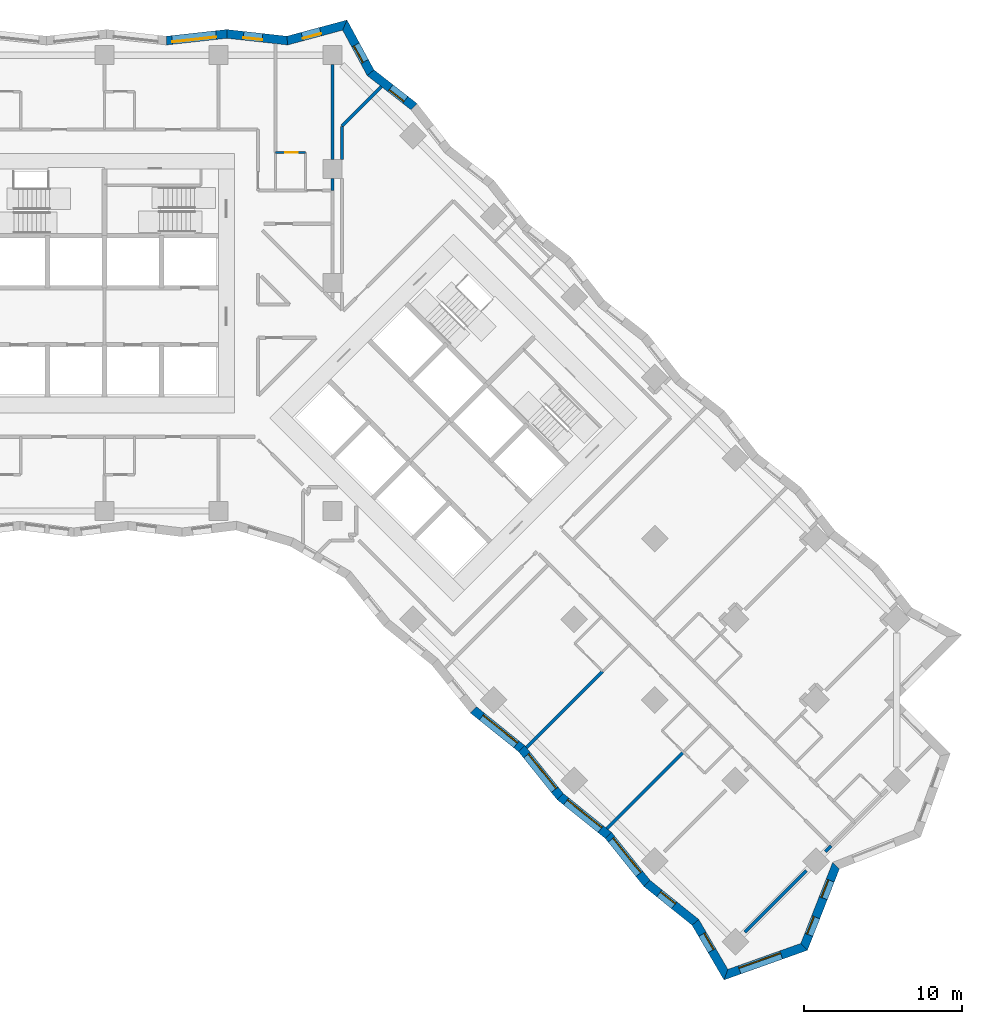
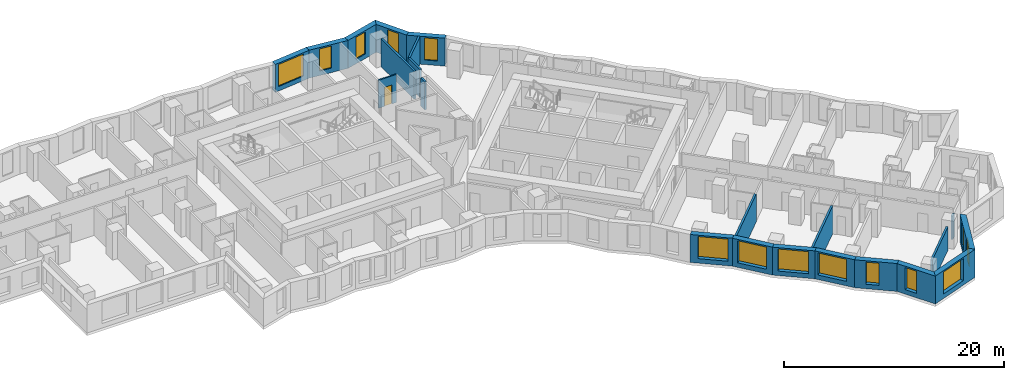
# One storey, part 7 of 13: 22 walls, 14 windows, 1 door, 15 openings.
"""IFC4 building model written with IfcOpenShell, lengths in metres."""

from ifc_helpers import new_model, si_unit, direction, frame, frame_2d, origin, place, context, subcontext, project, spatial, polyline, rectangle, outline, extrude, material, layer, layer_set, type_object, element, fill, save


model = new_model("IFC4")

# Units and contexts
model_context = context("Model", 3, precision=1e-05, world=origin(), true_north=direction((0.0, 1.0)))
body_context = subcontext(model_context, "Body", "Model", "MODEL_VIEW")
ifc_project = project(units=[si_unit("LENGTHUNIT", "METRE"), si_unit("AREAUNIT", "SQUARE_METRE"), si_unit("VOLUMEUNIT", "CUBIC_METRE"), si_unit("PLANEANGLEUNIT", "RADIAN"), si_unit("MASSUNIT", "GRAM", prefix="KILO")], contexts=[model_context])

# Site, building, storey
site_placement = place(None, origin())
site = spatial("IfcSite", under=ifc_project, at=site_placement, CompositionType="ELEMENT")
building_placement = place(site_placement, origin())
building = spatial("IfcBuilding", under=site, at=building_placement, Name="Windrow Commons", CompositionType="ELEMENT")
storey_placement = place(building_placement, frame((0.0, 0.0, 40.6)))
storey = spatial("IfcBuildingStorey", under=building, at=storey_placement, Name="L10", CompositionType="ELEMENT", Elevation=40.6)

# Wall, opening, window
ifc_material_1 = material(Name="Brick masonry, red clay brick", Category="masonry")
ifc_layer_1 = layer(ifc_material_1, 0.55)
ifc_layer_set_1 = layer_set([ifc_layer_1], Name="Brick facade wall 550")
wall_type_1 = type_object("IfcWallType", Name="Brick facade wall 550", PredefinedType="SOLIDWALL", material=ifc_layer_set_1)
wall_1_placement = place(storey_placement, frame((104.0565, 13.9138, 0.0), z_axis=(0.0, 0.0, 1.0), x_axis=(0.942037149, 0.3355085839, 0.0)))
wall_1 = element("IfcWall", 1, at=wall_1_placement, inside=storey, type_object=wall_type_1, Name="Brick facade wall L10 1", PredefinedType="SOLIDWALL", context=body_context, shape_type="SweptSolid", body=[
    extrude(outline(polyline([(-0.2282, -0.275), (5.3679, -0.275), (5.1177, 0.275), (0.2282, 0.275), (-0.2282, -0.275)])), origin(), (0.0, 0.0, 1.0), 3.1),
])
opening_1_placement = place(wall_1_placement, frame((0.9071, 0.0, 0.5)))
opening_1 = element("IfcOpeningElement", 2, at=opening_1_placement, cuts=wall_1, Name="Opening W1T", PredefinedType="OPENING", context=body_context, shape_type="SweptSolid", body=[
    extrude(rectangle(XDim=2.8, YDim=2.45, at=frame_2d((1.4, 1.225))), frame((0.0, 0.285, 0.0), z_axis=(0.0, -1.0, 0.0), x_axis=(1.0, 0.0, 0.0)), (0.0, 0.0, 1.0), 0.57),
])
ifc_material_2 = material(Name="Clear float glass in anodised aluminium frame", Category="aluminium")
window_type_1 = type_object("IfcWindowType", Name="Window W1T bedroom 2800x2450", PartitioningType="SINGLE_PANEL", PredefinedType="WINDOW", material=ifc_material_2)
window_1_placement = place(opening_1_placement, origin())
window_1 = element("IfcWindow", 3, at=window_1_placement, inside=storey, type_object=window_type_1, Name="Window L10 1.1", OverallHeight=2.45, OverallWidth=2.8, PartitioningType="SINGLE_PANEL", PredefinedType="WINDOW", context=body_context, shape_type="SweptSolid", body=[
    extrude(rectangle(XDim=2.8, YDim=2.45, at=frame_2d((1.4, 1.225))), frame((0.0, 0.155, 0.0), z_axis=(0.0, -1.0, 0.0), x_axis=(1.0, 0.0, 0.0)), (0.0, 0.0, 1.0), 0.06),
])
fill(opening_1, window_1)

# Wall, openings, windows
wall_2_placement = place(storey_placement, frame((108.9954, 15.6728, 0.0), z_axis=(0.0, 0.0, 1.0), x_axis=(0.3662073004, 0.930533295, 0.0)))
wall_2 = element("IfcWall", 4, at=wall_2_placement, inside=storey, type_object=wall_type_1, Name="Brick facade wall L10 2", PredefinedType="SOLIDWALL", context=body_context, shape_type="SweptSolid", body=[
    extrude(outline(polyline([(-0.1251, -0.275), (5.3881, -0.275), (5.6275, 0.275), (0.1251, 0.275), (-0.1251, -0.275)])), origin(), (0.0, 0.0, 1.0), 3.1),
])
opening_2_placement = place(wall_2_placement, frame((0.813, 0.0, 0.5)))
opening_2 = element("IfcOpeningElement", 5, at=opening_2_placement, cuts=wall_2, Name="Opening W7D", PredefinedType="OPENING", context=body_context, shape_type="SweptSolid", body=[
    extrude(rectangle(XDim=1.2, YDim=2.45, at=frame_2d((0.6, 1.225))), frame((0.0, 0.285, 0.0), z_axis=(0.0, -1.0, 0.0), x_axis=(1.0, 0.0, 0.0)), (0.0, 0.0, 1.0), 0.57),
])
opening_3_placement = place(wall_2_placement, frame((3.3044, 0.0, 0.5)))
opening_3 = element("IfcOpeningElement", 6, at=opening_3_placement, cuts=wall_2, Name="Opening W7D", PredefinedType="OPENING", context=body_context, shape_type="SweptSolid", body=[
    extrude(rectangle(XDim=1.2, YDim=2.45, at=frame_2d((0.6, 1.225))), frame((0.0, 0.285, 0.0), z_axis=(0.0, -1.0, 0.0), x_axis=(1.0, 0.0, 0.0)), (0.0, 0.0, 1.0), 0.57),
])
ifc_material_3 = material(Name="Clear float glass in anodised aluminium frame", Category="aluminium")
window_type_2 = type_object("IfcWindowType", Name="Window W7 notch 1200x2450", PartitioningType="SINGLE_PANEL", PredefinedType="WINDOW", material=ifc_material_3)
window_2_placement = place(opening_2_placement, origin())
window_2 = element("IfcWindow", 7, at=window_2_placement, inside=storey, type_object=window_type_2, Name="Window L10 2.1", OverallHeight=2.45, OverallWidth=1.2, PartitioningType="SINGLE_PANEL", PredefinedType="WINDOW", context=body_context, shape_type="SweptSolid", body=[
    extrude(rectangle(XDim=1.2, YDim=2.45, at=frame_2d((0.6, 1.225))), frame((0.0, 0.155, 0.0), z_axis=(0.0, -1.0, 0.0), x_axis=(1.0, 0.0, 0.0)), (0.0, 0.0, 1.0), 0.06),
])
fill(opening_2, window_2)
window_3_placement = place(opening_3_placement, origin())
window_3 = element("IfcWindow", 8, at=window_3_placement, inside=storey, type_object=window_type_2, Name="Window L10 2.2", OverallHeight=2.45, OverallWidth=1.2, PartitioningType="SINGLE_PANEL", PredefinedType="WINDOW", context=body_context, shape_type="SweptSolid", body=[
    extrude(rectangle(XDim=1.2, YDim=2.45, at=frame_2d((0.6, 1.225))), frame((0.0, 0.155, 0.0), z_axis=(0.0, -1.0, 0.0), x_axis=(1.0, 0.0, 0.0)), (0.0, 0.0, 1.0), 0.06),
])
fill(opening_3, window_3)

# Wall, opening, window
wall_3_placement = place(storey_placement, frame((84.3541, 68.7465, 0.0), z_axis=(0.0, 0.0, 1.0), x_axis=(-0.7879242152, 0.6157722233, 0.0)))
wall_3 = element("IfcWall", 9, at=wall_3_placement, inside=storey, type_object=wall_type_1, Name="Brick facade wall L10 21", PredefinedType="SOLIDWALL", context=body_context, shape_type="SweptSolid", body=[
    extrude(outline(polyline([(-0.0337, -0.275), (3.4245, -0.275), (3.5392, 0.275), (0.0337, 0.275), (-0.0337, -0.275)])), origin(), (0.0, 0.0, 1.0), 3.1),
])
opening_4_placement = place(wall_3_placement, frame((0.6982, 0.0, 0.5)))
opening_4 = element("IfcOpeningElement", 10, at=opening_4_placement, cuts=wall_3, Name="Opening W7D", PredefinedType="OPENING", context=body_context, shape_type="SweptSolid", body=[
    extrude(rectangle(XDim=1.2, YDim=2.45, at=frame_2d((0.6, 1.225))), frame((0.0, 0.285, 0.0), z_axis=(0.0, -1.0, 0.0), x_axis=(1.0, 0.0, 0.0)), (0.0, 0.0, 1.0), 0.57),
])
window_4_placement = place(opening_4_placement, origin())
window_4 = element("IfcWindow", 11, at=window_4_placement, inside=storey, type_object=window_type_2, Name="Window L10 21.1", OverallHeight=2.45, OverallWidth=1.2, PartitioningType="SINGLE_PANEL", PredefinedType="WINDOW", context=body_context, shape_type="SweptSolid", body=[
    extrude(rectangle(XDim=1.2, YDim=2.45, at=frame_2d((0.6, 1.225))), frame((0.0, 0.155, 0.0), z_axis=(0.0, -1.0, 0.0), x_axis=(1.0, 0.0, 0.0)), (0.0, 0.0, 1.0), 0.06),
])
fill(opening_4, window_4)

wall_4_placement = place(storey_placement, frame((81.6107, 70.8905, 0.0), z_axis=(0.0, 0.0, 1.0), x_axis=(-0.4761692104, 0.8793536735, 0.0)))
wall_4 = element("IfcWall", 12, at=wall_4_placement, inside=storey, type_object=wall_type_1, Name="Brick facade wall L10 22", PredefinedType="SOLIDWALL", context=body_context, shape_type="SweptSolid", body=[
    extrude(outline(polyline([(0.0573, -0.275), (3.6385, -0.275), (3.204, 0.275), (-0.0573, 0.275), (0.0573, -0.275)])), origin(), (0.0, 0.0, 1.0), 3.1),
])
opening_5_placement = place(wall_4_placement, frame((0.7984, 0.0, 0.5)))
opening_5 = element("IfcOpeningElement", 13, at=opening_5_placement, cuts=wall_4, Name="Opening W7D", PredefinedType="OPENING", context=body_context, shape_type="SweptSolid", body=[
    extrude(rectangle(XDim=1.2, YDim=2.45, at=frame_2d((0.6, 1.225))), frame((0.0, 0.285, 0.0), z_axis=(0.0, -1.0, 0.0), x_axis=(1.0, 0.0, 0.0)), (0.0, 0.0, 1.0), 0.57),
])
window_5_placement = place(opening_5_placement, origin())
window_5 = element("IfcWindow", 14, at=window_5_placement, inside=storey, type_object=window_type_2, Name="Window L10 22.1", OverallHeight=2.45, OverallWidth=1.2, PartitioningType="SINGLE_PANEL", PredefinedType="WINDOW", context=body_context, shape_type="SweptSolid", body=[
    extrude(rectangle(XDim=1.2, YDim=2.45, at=frame_2d((0.6, 1.225))), frame((0.0, 0.155, 0.0), z_axis=(0.0, -1.0, 0.0), x_axis=(1.0, 0.0, 0.0)), (0.0, 0.0, 1.0), 0.06),
])
fill(opening_5, window_5)

wall_5_placement = place(storey_placement, frame((79.9816, 73.899, 0.0), z_axis=(0.0, 0.0, 1.0), x_axis=(-0.9656880232, -0.259704913, 0.0)))
wall_5 = element("IfcWall", 15, at=wall_5_placement, inside=storey, type_object=wall_type_1, Name="Brick facade wall L10 23", PredefinedType="SOLIDWALL", context=body_context, shape_type="SweptSolid", body=[
    extrude(outline(polyline([(-0.2173, -0.275), (3.714, -0.275), (3.8178, 0.275), (0.2173, 0.275), (-0.2173, -0.275)])), origin(), (0.0, 0.0, 1.0), 3.1),
])
opening_6_placement = place(wall_5_placement, frame((1.5876, 0.0, 0.5)))
opening_6 = element("IfcOpeningElement", 16, at=opening_6_placement, cuts=wall_5, Name="Opening W7D", PredefinedType="OPENING", context=body_context, shape_type="SweptSolid", body=[
    extrude(rectangle(XDim=1.2, YDim=2.45, at=frame_2d((0.6, 1.225))), frame((0.0, 0.285, 0.0), z_axis=(0.0, -1.0, 0.0), x_axis=(1.0, 0.0, 0.0)), (0.0, 0.0, 1.0), 0.57),
])
window_6_placement = place(opening_6_placement, origin())
window_6 = element("IfcWindow", 17, at=window_6_placement, inside=storey, type_object=window_type_2, Name="Window L10 23.1", OverallHeight=2.45, OverallWidth=1.2, PartitioningType="SINGLE_PANEL", PredefinedType="WINDOW", context=body_context, shape_type="SweptSolid", body=[
    extrude(rectangle(XDim=1.2, YDim=2.45, at=frame_2d((0.6, 1.225))), frame((0.0, 0.155, 0.0), z_axis=(0.0, -1.0, 0.0), x_axis=(1.0, 0.0, 0.0)), (0.0, 0.0, 1.0), 0.06),
])
fill(opening_6, window_6)

wall_6_placement = place(storey_placement, frame((76.345, 72.921, 0.0), z_axis=(0.0, 0.0, 1.0), x_axis=(-0.9939087915, 0.1102057815, 0.0)))
wall_6 = element("IfcWall", 18, at=wall_6_placement, inside=storey, type_object=wall_type_1, Name="Brick facade wall L10 24", PredefinedType="SOLIDWALL", context=body_context, shape_type="SweptSolid", body=[
    extrude(outline(polyline([(0.0519, -0.275), (3.8715, -0.275), (3.8105, 0.275), (-0.0519, 0.275), (0.0519, -0.275)])), origin(), (0.0, 0.0, 1.0), 3.1),
])
opening_7_placement = place(wall_6_placement, frame((1.58, 0.0, 0.5)))
opening_7 = element("IfcOpeningElement", 19, at=opening_7_placement, cuts=wall_6, Name="Opening W7D", PredefinedType="OPENING", context=body_context, shape_type="SweptSolid", body=[
    extrude(rectangle(XDim=1.2, YDim=2.45, at=frame_2d((0.6, 1.225))), frame((0.0, 0.285, 0.0), z_axis=(0.0, -1.0, 0.0), x_axis=(1.0, 0.0, 0.0)), (0.0, 0.0, 1.0), 0.57),
])
window_7_placement = place(opening_7_placement, origin())
window_7 = element("IfcWindow", 20, at=window_7_placement, inside=storey, type_object=window_type_2, Name="Window L10 24.1", OverallHeight=2.45, OverallWidth=1.2, PartitioningType="SINGLE_PANEL", PredefinedType="WINDOW", context=body_context, shape_type="SweptSolid", body=[
    extrude(rectangle(XDim=1.2, YDim=2.45, at=frame_2d((0.6, 1.225))), frame((0.0, 0.155, 0.0), z_axis=(0.0, -1.0, 0.0), x_axis=(1.0, 0.0, 0.0)), (0.0, 0.0, 1.0), 0.06),
])
fill(opening_7, window_7)

wall_7_placement = place(storey_placement, frame((72.5274, 73.3443, 0.0), z_axis=(0.0, 0.0, 1.0), x_axis=(-0.99390702, -0.1102217568, 0.0)))
wall_7 = element("IfcWall", 21, at=wall_7_placement, inside=storey, type_object=wall_type_1, Name="Brick facade wall L10 25", PredefinedType="SOLIDWALL", context=body_context, shape_type="SweptSolid", body=[
    extrude(outline(polyline([(-0.0305, -0.275), (3.7891, -0.275), (3.8501, 0.275), (0.0305, 0.275), (-0.0305, -0.275)])), origin(), (0.0, 0.0, 1.0), 3.1),
])
opening_8_placement = place(wall_7_placement, frame((0.6751, 0.0, 0.5)))
opening_8 = element("IfcOpeningElement", 22, at=opening_8_placement, cuts=wall_7, Name="Opening W1T", PredefinedType="OPENING", context=body_context, shape_type="SweptSolid", body=[
    extrude(rectangle(XDim=2.8, YDim=2.45, at=frame_2d((1.4, 1.225))), frame((0.0, 0.285, 0.0), z_axis=(0.0, -1.0, 0.0), x_axis=(1.0, 0.0, 0.0)), (0.0, 0.0, 1.0), 0.57),
])
window_8_placement = place(opening_8_placement, origin())
window_8 = element("IfcWindow", 23, at=window_8_placement, inside=storey, type_object=window_type_1, Name="Window L10 25.1", OverallHeight=2.45, OverallWidth=2.8, PartitioningType="SINGLE_PANEL", PredefinedType="WINDOW", context=body_context, shape_type="SweptSolid", body=[
    extrude(rectangle(XDim=2.8, YDim=2.45, at=frame_2d((1.4, 1.225))), frame((0.0, 0.155, 0.0), z_axis=(0.0, -1.0, 0.0), x_axis=(1.0, 0.0, 0.0)), (0.0, 0.0, 1.0), 0.06),
])
fill(opening_8, window_8)

wall_8_placement = place(storey_placement, frame((88.1132, 30.6385, 0.0), z_axis=(0.0, 0.0, 1.0), x_axis=(0.7793447186, -0.6265954114, 0.0)))
wall_8 = element("IfcWall", 24, at=wall_8_placement, inside=storey, type_object=wall_type_1, Name="Brick facade wall L10 58", PredefinedType="SOLIDWALL", context=body_context, shape_type="SweptSolid", body=[
    extrude(outline(polyline([(-0.0299, -0.275), (3.868, -0.275), (3.9277, 0.275), (0.0299, 0.275), (-0.0299, -0.275)])), origin(), (0.0, 0.0, 1.0), 3.1),
])
opening_9_placement = place(wall_8_placement, frame((0.6755, 0.0, 0.5)))
opening_9 = element("IfcOpeningElement", 25, at=opening_9_placement, cuts=wall_8, Name="Opening W1T", PredefinedType="OPENING", context=body_context, shape_type="SweptSolid", body=[
    extrude(rectangle(XDim=2.8, YDim=2.45, at=frame_2d((1.4, 1.225))), frame((0.0, 0.285, 0.0), z_axis=(0.0, -1.0, 0.0), x_axis=(1.0, 0.0, 0.0)), (0.0, 0.0, 1.0), 0.57),
])
window_9_placement = place(opening_9_placement, origin())
window_9 = element("IfcWindow", 26, at=window_9_placement, inside=storey, type_object=window_type_1, Name="Window L10 58.1", OverallHeight=2.45, OverallWidth=2.8, PartitioningType="SINGLE_PANEL", PredefinedType="WINDOW", context=body_context, shape_type="SweptSolid", body=[
    extrude(rectangle(XDim=2.8, YDim=2.45, at=frame_2d((1.4, 1.225))), frame((0.0, 0.155, 0.0), z_axis=(0.0, -1.0, 0.0), x_axis=(1.0, 0.0, 0.0)), (0.0, 0.0, 1.0), 0.06),
])
fill(opening_9, window_9)

wall_9_placement = place(storey_placement, frame((91.151, 28.1961, 0.0), z_axis=(0.0, 0.0, 1.0), x_axis=(0.6266079397, -0.7793346456, 0.0)))
wall_9 = element("IfcWall", 27, at=wall_9_placement, inside=storey, type_object=wall_type_1, Name="Brick facade wall L10 59", PredefinedType="SOLIDWALL", context=body_context, shape_type="SweptSolid", body=[
    extrude(outline(polyline([(0.0299, -0.275), (3.9277, -0.275), (3.868, 0.275), (-0.0299, 0.275), (0.0299, -0.275)])), origin(), (0.0, 0.0, 1.0), 3.1),
])
opening_10_placement = place(wall_9_placement, frame((0.534, 0.0, 0.5)))
opening_10 = element("IfcOpeningElement", 28, at=opening_10_placement, cuts=wall_9, Name="Opening W1T", PredefinedType="OPENING", context=body_context, shape_type="SweptSolid", body=[
    extrude(rectangle(XDim=2.8, YDim=2.45, at=frame_2d((1.4, 1.225))), frame((0.0, 0.285, 0.0), z_axis=(0.0, -1.0, 0.0), x_axis=(1.0, 0.0, 0.0)), (0.0, 0.0, 1.0), 0.57),
])
window_10_placement = place(opening_10_placement, origin())
window_10 = element("IfcWindow", 29, at=window_10_placement, inside=storey, type_object=window_type_1, Name="Window L10 59.1", OverallHeight=2.45, OverallWidth=2.8, PartitioningType="SINGLE_PANEL", PredefinedType="WINDOW", context=body_context, shape_type="SweptSolid", body=[
    extrude(rectangle(XDim=2.8, YDim=2.45, at=frame_2d((1.4, 1.225))), frame((0.0, 0.155, 0.0), z_axis=(0.0, -1.0, 0.0), x_axis=(1.0, 0.0, 0.0)), (0.0, 0.0, 1.0), 0.06),
])
fill(opening_10, window_10)

wall_10_placement = place(storey_placement, frame((93.5934, 25.1584, 0.0), z_axis=(0.0, 0.0, 1.0), x_axis=(0.7793346456, -0.6266079397, 0.0)))
wall_10 = element("IfcWall", 30, at=wall_10_placement, inside=storey, type_object=wall_type_1, Name="Brick facade wall L10 60", PredefinedType="SOLIDWALL", context=body_context, shape_type="SweptSolid", body=[
    extrude(outline(polyline([(-0.0299, -0.275), (3.868, -0.275), (3.9277, 0.275), (0.0299, 0.275), (-0.0299, -0.275)])), origin(), (0.0, 0.0, 1.0), 3.1),
])
opening_11_placement = place(wall_10_placement, frame((0.4754, 0.0, 0.5)))
opening_11 = element("IfcOpeningElement", 31, at=opening_11_placement, cuts=wall_10, Name="Opening W1T", PredefinedType="OPENING", context=body_context, shape_type="SweptSolid", body=[
    extrude(rectangle(XDim=2.8, YDim=2.45, at=frame_2d((1.4, 1.225))), frame((0.0, 0.285, 0.0), z_axis=(0.0, -1.0, 0.0), x_axis=(1.0, 0.0, 0.0)), (0.0, 0.0, 1.0), 0.57),
])
window_11_placement = place(opening_11_placement, origin())
window_11 = element("IfcWindow", 32, at=window_11_placement, inside=storey, type_object=window_type_1, Name="Window L10 60.1", OverallHeight=2.45, OverallWidth=2.8, PartitioningType="SINGLE_PANEL", PredefinedType="WINDOW", context=body_context, shape_type="SweptSolid", body=[
    extrude(rectangle(XDim=2.8, YDim=2.45, at=frame_2d((1.4, 1.225))), frame((0.0, 0.155, 0.0), z_axis=(0.0, -1.0, 0.0), x_axis=(1.0, 0.0, 0.0)), (0.0, 0.0, 1.0), 0.06),
])
fill(opening_11, window_11)

wall_11_placement = place(storey_placement, frame((96.6311, 22.716, 0.0), z_axis=(0.0, 0.0, 1.0), x_axis=(0.6265954114, -0.7793447186, 0.0)))
wall_11 = element("IfcWall", 33, at=wall_11_placement, inside=storey, type_object=wall_type_1, Name="Brick facade wall L10 61", PredefinedType="SOLIDWALL", context=body_context, shape_type="SweptSolid", body=[
    extrude(outline(polyline([(0.0299, -0.275), (3.9277, -0.275), (3.868, 0.275), (-0.0299, 0.275), (0.0299, -0.275)])), origin(), (0.0, 0.0, 1.0), 3.1),
])
opening_12_placement = place(wall_11_placement, frame((0.3221, 0.0, 0.5)))
opening_12 = element("IfcOpeningElement", 34, at=opening_12_placement, cuts=wall_11, Name="Opening W1T", PredefinedType="OPENING", context=body_context, shape_type="SweptSolid", body=[
    extrude(rectangle(XDim=2.8, YDim=2.45, at=frame_2d((1.4, 1.225))), frame((0.0, 0.285, 0.0), z_axis=(0.0, -1.0, 0.0), x_axis=(1.0, 0.0, 0.0)), (0.0, 0.0, 1.0), 0.57),
])
window_12_placement = place(opening_12_placement, origin())
window_12 = element("IfcWindow", 35, at=window_12_placement, inside=storey, type_object=window_type_1, Name="Window L10 61.1", OverallHeight=2.45, OverallWidth=2.8, PartitioningType="SINGLE_PANEL", PredefinedType="WINDOW", context=body_context, shape_type="SweptSolid", body=[
    extrude(rectangle(XDim=2.8, YDim=2.45, at=frame_2d((1.4, 1.225))), frame((0.0, 0.155, 0.0), z_axis=(0.0, -1.0, 0.0), x_axis=(1.0, 0.0, 0.0)), (0.0, 0.0, 1.0), 0.06),
])
fill(opening_12, window_12)

wall_12_placement = place(storey_placement, frame((99.0735, 19.6782, 0.0), z_axis=(0.0, 0.0, 1.0), x_axis=(0.7793429302, -0.6265976358, 0.0)))
wall_12 = element("IfcWall", 36, at=wall_12_placement, inside=storey, type_object=wall_type_1, Name="Brick facade wall L10 62", PredefinedType="SOLIDWALL", context=body_context, shape_type="SweptSolid", body=[
    extrude(outline(polyline([(-0.0299, -0.275), (3.868, -0.275), (3.9697, 0.275), (0.0299, 0.275), (-0.0299, -0.275)])), origin(), (0.0, 0.0, 1.0), 3.1),
])
opening_13_placement = place(wall_12_placement, frame((0.9987, 0.0, 0.5)))
opening_13 = element("IfcOpeningElement", 37, at=opening_13_placement, cuts=wall_12, Name="Opening W7D", PredefinedType="OPENING", context=body_context, shape_type="SweptSolid", body=[
    extrude(rectangle(XDim=1.2, YDim=2.45, at=frame_2d((0.6, 1.225))), frame((0.0, 0.285, 0.0), z_axis=(0.0, -1.0, 0.0), x_axis=(1.0, 0.0, 0.0)), (0.0, 0.0, 1.0), 0.57),
])
window_13_placement = place(opening_13_placement, origin())
window_13 = element("IfcWindow", 38, at=window_13_placement, inside=storey, type_object=window_type_2, Name="Window L10 62.1", OverallHeight=2.45, OverallWidth=1.2, PartitioningType="SINGLE_PANEL", PredefinedType="WINDOW", context=body_context, shape_type="SweptSolid", body=[
    extrude(rectangle(XDim=1.2, YDim=2.45, at=frame_2d((0.6, 1.225))), frame((0.0, 0.155, 0.0), z_axis=(0.0, -1.0, 0.0), x_axis=(1.0, 0.0, 0.0)), (0.0, 0.0, 1.0), 0.06),
])
fill(opening_13, window_13)

wall_13_placement = place(storey_placement, frame((102.1277, 17.2226, 0.0), z_axis=(0.0, 0.0, 1.0), x_axis=(0.5036112548, -0.8639303815, 0.0)))
wall_13 = element("IfcWall", 39, at=wall_13_placement, inside=storey, type_object=wall_type_1, Name="Brick facade wall L10 63", PredefinedType="SOLIDWALL", context=body_context, shape_type="SweptSolid", body=[
    extrude(outline(polyline([(0.0509, -0.275), (4.0582, -0.275), (3.6019, 0.275), (-0.0509, 0.275), (0.0509, -0.275)])), origin(), (0.0, 0.0, 1.0), 3.1),
])
opening_14_placement = place(wall_13_placement, frame((0.8724, 0.0, 0.5)))
opening_14 = element("IfcOpeningElement", 40, at=opening_14_placement, cuts=wall_13, Name="Opening W7D", PredefinedType="OPENING", context=body_context, shape_type="SweptSolid", body=[
    extrude(rectangle(XDim=1.2, YDim=2.45, at=frame_2d((0.6, 1.225))), frame((0.0, 0.285, 0.0), z_axis=(0.0, -1.0, 0.0), x_axis=(1.0, 0.0, 0.0)), (0.0, 0.0, 1.0), 0.57),
])
window_14_placement = place(opening_14_placement, origin())
window_14 = element("IfcWindow", 41, at=window_14_placement, inside=storey, type_object=window_type_2, Name="Window L10 63.1", OverallHeight=2.45, OverallWidth=1.2, PartitioningType="SINGLE_PANEL", PredefinedType="WINDOW", context=body_context, shape_type="SweptSolid", body=[
    extrude(rectangle(XDim=1.2, YDim=2.45, at=frame_2d((0.6, 1.225))), frame((0.0, 0.155, 0.0), z_axis=(0.0, -1.0, 0.0), x_axis=(1.0, 0.0, 0.0)), (0.0, 0.0, 1.0), 0.06),
])
fill(opening_14, window_14)

# Wall, opening, door
ifc_material_4 = material(Name="Blockwork partition", Category="masonry")
ifc_layer_2 = layer(ifc_material_4, 0.15)
ifc_layer_set_2 = layer_set([ifc_layer_2], Name="IW-ENSUITE-150")
wall_type_2 = type_object("IfcWallType", Name="IW-ENSUITE-150", PredefinedType="PARTITIONING", material=ifc_layer_set_2)
wall_14_placement = place(storey_placement, frame((75.6, 65.85, 0.0), z_axis=(0.0, 0.0, 1.0), x_axis=(1.0, 0.0, 0.0)))
wall_14 = element("IfcWall", 42, at=wall_14_placement, inside=storey, type_object=wall_type_2, Name="W-L10-W126", PredefinedType="PARTITIONING", context=body_context, shape_type="SweptSolid", body=[
    extrude(rectangle(XDim=1.9, YDim=0.15, at=frame_2d((0.95, 0.0))), origin(), (0.0, 0.0, 1.0), 3.1),
])
opening_15_placement = place(wall_14_placement, frame((0.6069, 0.0, 0.0)))
opening_15 = element("IfcOpeningElement", 43, at=opening_15_placement, cuts=wall_14, Name="Opening D208N", PredefinedType="OPENING", context=body_context, shape_type="SweptSolid", body=[
    extrude(rectangle(XDim=0.8, YDim=2.1, at=frame_2d((0.4, 1.05))), frame((0.0, 0.085, 0.0), z_axis=(0.0, -1.0, 0.0), x_axis=(1.0, 0.0, 0.0)), (0.0, 0.0, 1.0), 0.17),
])
ifc_material_5 = material(Name="Timber door leaf", Category="wood")
door_type = type_object("IfcDoorType", Name="DT-ENSUITE-800", OperationType="SINGLE_SWING_LEFT", PredefinedType="DOOR", material=ifc_material_5)
door_placement = place(opening_15_placement, origin())
door = element("IfcDoor", 44, at=door_placement, inside=storey, type_object=door_type, Name="D-L10-D022", OperationType="SINGLE_SWING_RIGHT", OverallHeight=2.1, OverallWidth=0.8, PredefinedType="DOOR", context=body_context, shape_type="SweptSolid", body=[
    extrude(rectangle(XDim=0.8, YDim=2.1, at=frame_2d((0.4, 1.05))), frame((0.0, 0.025, 0.0), z_axis=(0.0, -1.0, 0.0), x_axis=(1.0, 0.0, 0.0)), (0.0, 0.0, 1.0), 0.05),
])
fill(opening_15, door)

# Walls
ifc_material_6 = material(Name="Blockwork partition", Category="masonry")
ifc_layer_3 = layer(ifc_material_6, 0.2)
ifc_layer_set_3 = layer_set([ifc_layer_3], Name="IW-PARTY-200")
wall_type_3 = type_object("IfcWallType", Name="IW-PARTY-200", PredefinedType="PARTITIONING", material=ifc_layer_set_3)
wall_15_placement = place(storey_placement, frame((96.532, 23.1485, 0.0), z_axis=(0.0, 0.0, 1.0), x_axis=(0.7071140939, 0.7070994684, 0.0)))
element("IfcWall", 45, at=wall_15_placement, inside=storey, type_object=wall_type_3, Name="W-L10-W020", PredefinedType="PARTITIONING", context=body_context, shape_type="SweptSolid", body=[
    extrude(rectangle(XDim=6.8374, YDim=0.2, at=frame_2d((3.4187, 0.0))), origin(), (0.0, 0.0, 1.0), 3.1),
])
wall_16_placement = place(storey_placement, frame((91.4564, 28.2552, 0.0), z_axis=(0.0, 0.0, 1.0), x_axis=(0.7071067812, 0.7071067812, 0.0)))
element("IfcWall", 46, at=wall_16_placement, inside=storey, type_object=wall_type_3, Name="W-L10-W021", PredefinedType="PARTITIONING", context=body_context, shape_type="SweptSolid", body=[
    extrude(rectangle(XDim=6.8154, YDim=0.2, at=frame_2d((3.4077, 0.0))), origin(), (0.0, 0.0, 1.0), 3.1),
])
wall_17_placement = place(storey_placement, frame((79.2, 65.4, 0.0), z_axis=(0.0, 0.0, 1.0), x_axis=(0.0, 1.0, 0.0)))
element("IfcWall", 47, at=wall_17_placement, inside=storey, type_object=wall_type_3, Name="W-L10-W030", PredefinedType="PARTITIONING", context=body_context, shape_type="SweptSolid", body=[
    extrude(rectangle(XDim=6.0, YDim=0.2, at=frame_2d((3.0, 0.0))), origin(), (0.0, 0.0, 1.0), 3.1),
])
wall_18_placement = place(storey_placement, frame((105.257, 16.597, 0.0), z_axis=(0.0, 0.0, 1.0), x_axis=(0.7072884866, 0.706925029, 0.0)))
element("IfcWall", 48, at=wall_18_placement, inside=storey, type_object=wall_type_3, Name="W-L10-W036", PredefinedType="PARTITIONING", context=body_context, shape_type="SweptSolid", body=[
    extrude(rectangle(XDim=5.5027, YDim=0.2, at=frame_2d((2.7513, 0.0))), origin(), (0.0, 0.0, 1.0), 2.6),
])
wall_19_placement = place(storey_placement, frame((79.7988, 67.5092, 0.0), z_axis=(0.0, 0.0, 1.0), x_axis=(0.7070926216, 0.7071209405, 0.0)))
element("IfcWall", 49, at=wall_19_placement, inside=storey, type_object=wall_type_3, Name="W-L10-W058", PredefinedType="PARTITIONING", context=body_context, shape_type="SweptSolid", body=[
    extrude(rectangle(XDim=3.5312, YDim=0.2, at=frame_2d((1.7656, 0.0))), origin(), (0.0, 0.0, 1.0), 3.1),
])
wall_20_placement = place(storey_placement, frame((79.8, 65.4, 0.0), z_axis=(0.0, 0.0, 1.0), x_axis=(0.0, 1.0, 0.0)))
element("IfcWall", 50, at=wall_20_placement, inside=storey, type_object=wall_type_3, Name="W-L10-W114", PredefinedType="PARTITIONING", context=body_context, shape_type="SweptSolid", body=[
    extrude(rectangle(XDim=2.108, YDim=0.2, at=frame_2d((1.054, 0.0))), origin(), (0.0, 0.0, 1.0), 3.1),
])
wall_21_placement = place(storey_placement, frame((79.2, 63.45, 0.0), z_axis=(0.0, 0.0, 1.0), x_axis=(0.0, 1.0, 0.0)))
element("IfcWall", 51, at=wall_21_placement, inside=storey, type_object=wall_type_3, Name="W-L10-W164", PredefinedType="PARTITIONING", context=body_context, shape_type="SweptSolid", body=[
    extrude(rectangle(XDim=0.75, YDim=0.2, at=frame_2d((0.375, 0.0))), origin(), (0.0, 0.0, 1.0), 3.1),
])
wall_22_placement = place(storey_placement, frame((110.3465, 21.6895, 0.0), z_axis=(0.0, 0.0, 1.0), x_axis=(0.7071067812, 0.7071067812, 0.0)))
element("IfcWall", 52, at=wall_22_placement, inside=storey, type_object=wall_type_3, Name="W-L10-W185", PredefinedType="PARTITIONING", context=body_context, shape_type="SweptSolid", body=[
    extrude(rectangle(XDim=0.5006, YDim=0.2, at=frame_2d((0.2503, 0.0))), origin(), (0.0, 0.0, 1.0), 2.6),
])

save(model, "model.ifc")
